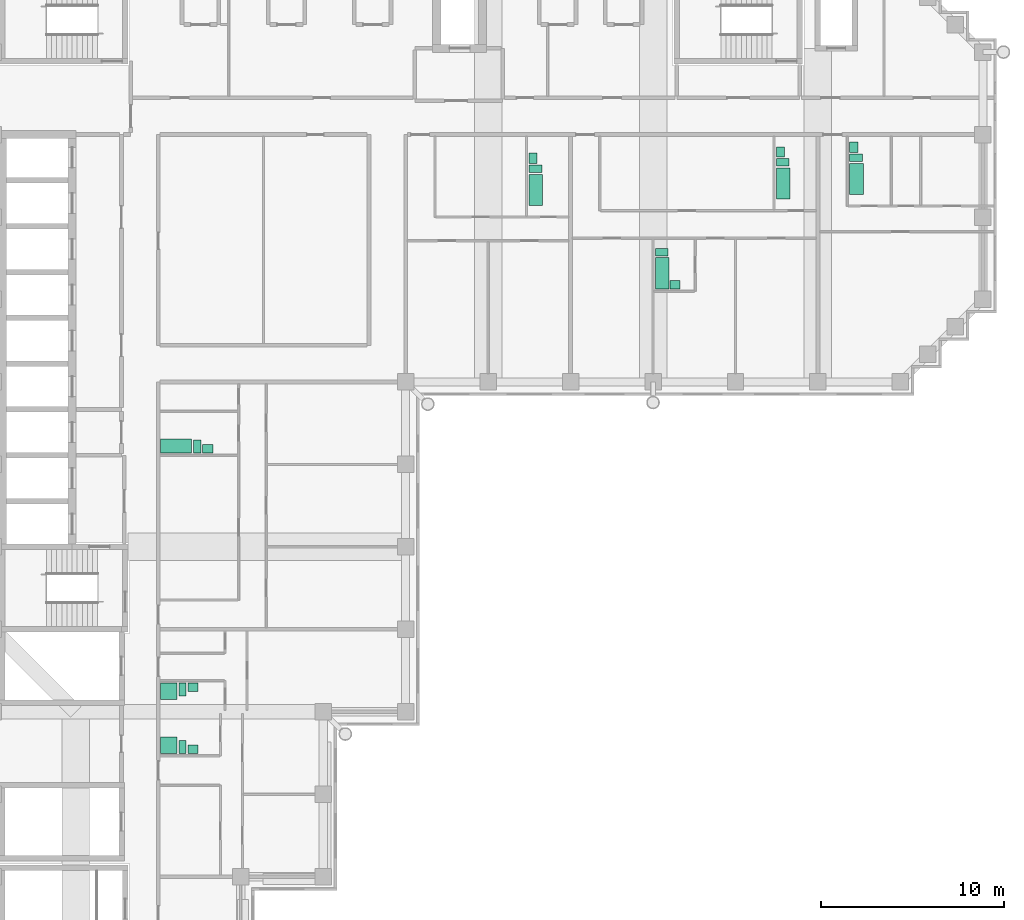
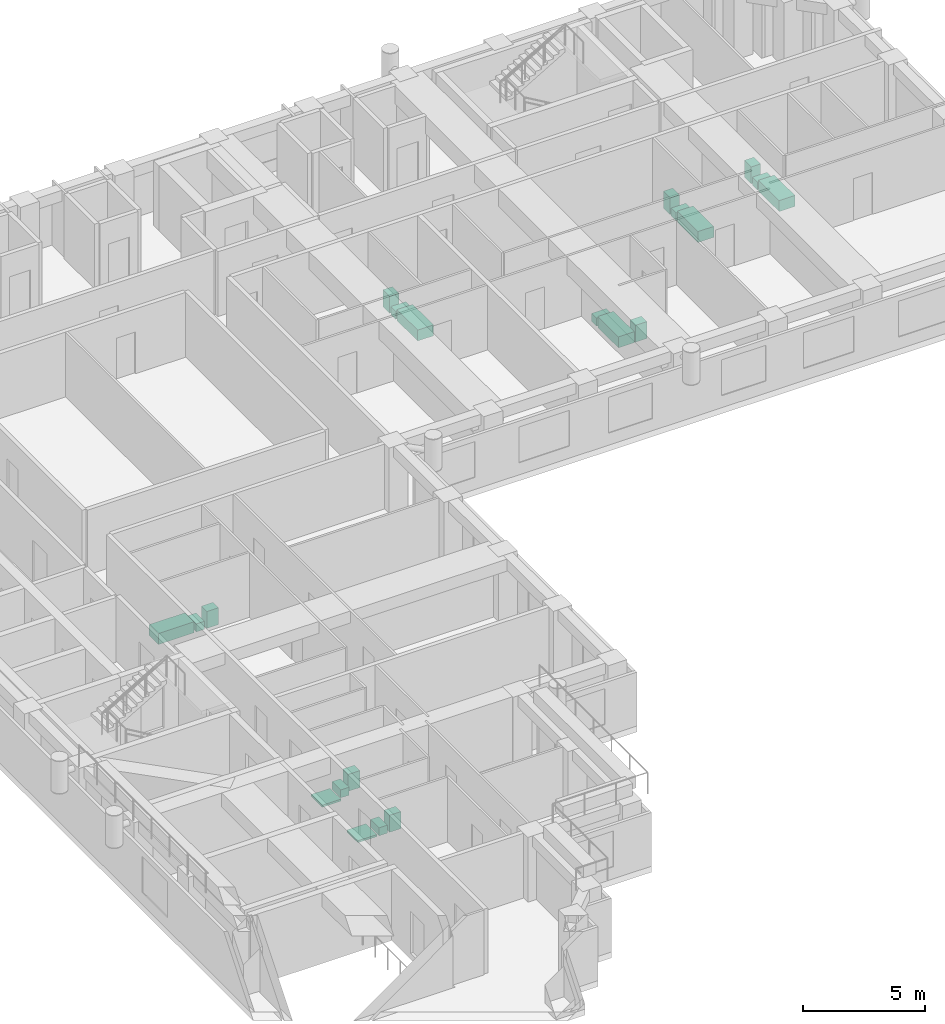
# One storey, part 11 of 11: 21 sanitary terminals.
"""IFC4 building model written with IfcOpenShell, lengths in metres."""

from ifc_helpers import new_model, si_unit, direction, frame, origin, origin_2d, place, context, subcontext, project, spatial, rectangle, extrude, material, type_object, element, save


model = new_model("IFC4")

# Units and contexts
model_context = context("Model", 3, precision=1e-05, world=origin(), true_north=direction((0.0, 1.0)))
body_context = subcontext(model_context, "Body", "Model", "MODEL_VIEW")
ifc_project = project(units=[si_unit("LENGTHUNIT", "METRE"), si_unit("AREAUNIT", "SQUARE_METRE"), si_unit("VOLUMEUNIT", "CUBIC_METRE"), si_unit("PLANEANGLEUNIT", "RADIAN"), si_unit("MASSUNIT", "GRAM", prefix="KILO")], contexts=[model_context])

# Site, building, storey
site_placement = place(None, origin())
site = spatial("IfcSite", under=ifc_project, at=site_placement, CompositionType="ELEMENT")
building_placement = place(site_placement, origin())
building = spatial("IfcBuilding", under=site, at=building_placement, Name="Firuza Court", CompositionType="ELEMENT")
storey_placement = place(building_placement, frame((0.0, 0.0, 207.800048828125)))
storey = spatial("IfcBuildingStorey", under=building, at=storey_placement, Name="L53", CompositionType="ELEMENT", Elevation=207.800048828125)

# Sanitary terminals
ifc_material_1 = material(Name="Vitreous china", Category="ceramic")
sanitary_terminal_type_1 = type_object("IfcSanitaryTerminalType", Name="Fixture Bath", PredefinedType="BATH", material=ifc_material_1)
for number, where, z_axis, x_axis, name in (
    (1, (29.60498046875, 46.47998046875, 0.0), (0.0, 0.0, 1.0), (1.0, 0.0, 0.0), "Bath"),
    (2, (43.10498046875, 46.830078125, 0.0), (0.0, 0.0, 1.0), (1.0, 0.0, 0.0), "Bath"),
    (3, (36.5048828125, 41.929931640625, 0.0), (0.0, 0.0, 1.0), (1.0, 0.0, 0.0), "Bath"),
    (4, (47.10498046875, 47.080078125, 0.0), (0.0, 0.0, 1.0), (1.0, 0.0, 0.0), "Bath"),
):
    element("IfcSanitaryTerminal", number, at=place(storey_placement, frame(where, z_axis=z_axis, x_axis=x_axis)), inside=storey, type_object=sanitary_terminal_type_1, Name=name, PredefinedType="BATH", context=body_context, shape_type="SweptSolid", body=[
        extrude(rectangle(XDim=0.75, YDim=1.699951171875, at=origin_2d()), origin(), (0.0, 0.0, 1.0), 0.550048828125),
    ])
sanitary_terminal_1_placement = place(storey_placement, frame((9.97998046875, 32.5048828125, 0.0), z_axis=(0.0, 0.0, 1.0), x_axis=(1.0, 0.0, 0.0)))
element("IfcSanitaryTerminal", 5, at=sanitary_terminal_1_placement, inside=storey, type_object=sanitary_terminal_type_1, Name="Bath", PredefinedType="BATH", context=body_context, shape_type="SweptSolid", body=[
    extrude(rectangle(XDim=1.699951171875, YDim=0.75, at=origin_2d()), origin(), (0.0, 0.0, 1.0), 0.550048828125),
])
ifc_material_2 = material(Name="Vitreous china", Category="ceramic")
sanitary_terminal_type_2 = type_object("IfcSanitaryTerminalType", Name="Fixture Shower tray", PredefinedType="SHOWER", material=ifc_material_2)
for number, where, z_axis, x_axis, name in (
    (6, (9.580078125, 19.1201171875, 0.0), (0.0, 0.0, 1.0), (1.0, 0.0, 0.0), "Shower tray"),
    (7, (9.580078125, 16.179931640625, 0.0), (0.0, 0.0, 1.0), (1.0, 0.0, 0.0), "Shower tray"),
):
    element("IfcSanitaryTerminal", number, at=place(storey_placement, frame(where, z_axis=z_axis, x_axis=x_axis)), inside=storey, type_object=sanitary_terminal_type_2, Name=name, PredefinedType="SHOWER", context=body_context, shape_type="SweptSolid", body=[
        extrude(rectangle(XDim=0.89990234375, YDim=0.89990234375, at=origin_2d()), origin(), (0.0, 0.0, 1.0), 0.10009765625),
    ])
ifc_material_3 = material(Name="Vitreous china", Category="ceramic")
sanitary_terminal_type_3 = type_object("IfcSanitaryTerminalType", Name="Fixture WC pan", PredefinedType="TOILETPAN", material=ifc_material_3)
for number, where, z_axis, x_axis, name in (
    (8, (29.580078125, 47.6298828125, 0.0), (0.0, 0.0, 1.0), (1.0, 0.0, 0.0), "WC pan"),
    (9, (43.080078125, 47.97998046875, 0.0), (0.0, 0.0, 1.0), (1.0, 0.0, 0.0), "WC pan"),
    (10, (36.47998046875, 43.080078125, 0.0), (0.0, 0.0, 1.0), (1.0, 0.0, 0.0), "WC pan"),
    (11, (47.080078125, 48.22998046875, 0.0), (0.0, 0.0, 1.0), (1.0, 0.0, 0.0), "WC pan"),
):
    element("IfcSanitaryTerminal", number, at=place(storey_placement, frame(where, z_axis=z_axis, x_axis=x_axis)), inside=storey, type_object=sanitary_terminal_type_3, Name=name, PredefinedType="TOILETPAN", context=body_context, shape_type="SweptSolid", body=[
        extrude(rectangle(XDim=0.699951171875, YDim=0.39990234375, at=origin_2d()), origin(), (0.0, 0.0, 1.0), 0.39990234375),
    ])
for number, where, z_axis, x_axis, name in (
    (12, (11.1298828125, 32.47998046875, 0.0), (0.0, 0.0, 1.0), (1.0, 0.0, 0.0), "WC pan"),
    (13, (10.330078125, 19.219970703125, 0.0), (0.0, 0.0, 1.0), (1.0, 0.0, 0.0), "WC pan"),
    (14, (10.330078125, 16.080078125, 0.0), (0.0, 0.0, 1.0), (1.0, 0.0, 0.0), "WC pan"),
):
    element("IfcSanitaryTerminal", number, at=place(storey_placement, frame(where, z_axis=z_axis, x_axis=x_axis)), inside=storey, type_object=sanitary_terminal_type_3, Name=name, PredefinedType="TOILETPAN", context=body_context, shape_type="SweptSolid", body=[
        extrude(rectangle(XDim=0.39990234375, YDim=0.699951171875, at=origin_2d()), origin(), (0.0, 0.0, 1.0), 0.39990234375),
    ])
ifc_material_4 = material(Name="Vitreous china", Category="ceramic")
sanitary_terminal_type_4 = type_object("IfcSanitaryTerminalType", Name="Fixture Washbasin", PredefinedType="WASHHANDBASIN", material=ifc_material_4)
for number, where, z_axis, x_axis, name in (
    (15, (29.455078125, 48.205078125, 0.0), (0.0, 0.0, 1.0), (1.0, 0.0, 0.0), "Washbasin"),
    (16, (42.955078125, 48.554931640625, 0.0), (0.0, 0.0, 1.0), (1.0, 0.0, 0.0), "Washbasin"),
):
    element("IfcSanitaryTerminal", number, at=place(storey_placement, frame(where, z_axis=z_axis, x_axis=x_axis)), inside=storey, type_object=sanitary_terminal_type_4, Name=name, PredefinedType="WASHHANDBASIN", context=body_context, shape_type="SweptSolid", body=[
        extrude(rectangle(XDim=0.449951171875, YDim=0.550048828125, at=origin_2d()), origin(), (0.0, 0.0, 1.0), 0.85009765625),
    ])
sanitary_terminal_2_placement = place(storey_placement, frame((37.205078125, 41.304931640625, 0.0), z_axis=(0.0, 0.0, 1.0), x_axis=(1.0, 0.0, 0.0)))
element("IfcSanitaryTerminal", 17, at=sanitary_terminal_2_placement, inside=storey, type_object=sanitary_terminal_type_4, Name="Washbasin", PredefinedType="WASHHANDBASIN", context=body_context, shape_type="SweptSolid", body=[
    extrude(rectangle(XDim=0.550048828125, YDim=0.449951171875, at=origin_2d()), origin(), (0.0, 0.0, 1.0), 0.85009765625),
])
sanitary_terminal_3_placement = place(storey_placement, frame((46.955078125, 48.804931640625, 0.0), z_axis=(0.0, 0.0, 1.0), x_axis=(1.0, 0.0, 0.0)))
element("IfcSanitaryTerminal", 18, at=sanitary_terminal_3_placement, inside=storey, type_object=sanitary_terminal_type_4, Name="Washbasin", PredefinedType="WASHHANDBASIN", context=body_context, shape_type="SweptSolid", body=[
    extrude(rectangle(XDim=0.449951171875, YDim=0.550048828125, at=origin_2d()), origin(), (0.0, 0.0, 1.0), 0.85009765625),
])
for number, where, z_axis, x_axis, name in (
    (19, (11.705078125, 32.35498046875, 0.0), (0.0, 0.0, 1.0), (1.0, 0.0, 0.0), "Washbasin"),
    (20, (10.905029296875, 19.344970703125, 0.0), (0.0, 0.0, 1.0), (1.0, 0.0, 0.0), "Washbasin"),
    (21, (10.905029296875, 15.955078125, 0.0), (0.0, 0.0, 1.0), (1.0, 0.0, 0.0), "Washbasin"),
):
    element("IfcSanitaryTerminal", number, at=place(storey_placement, frame(where, z_axis=z_axis, x_axis=x_axis)), inside=storey, type_object=sanitary_terminal_type_4, Name=name, PredefinedType="WASHHANDBASIN", context=body_context, shape_type="SweptSolid", body=[
        extrude(rectangle(XDim=0.550048828125, YDim=0.449951171875, at=origin_2d()), origin(), (0.0, 0.0, 1.0), 0.85009765625),
    ])

save(model, "model.ifc")
